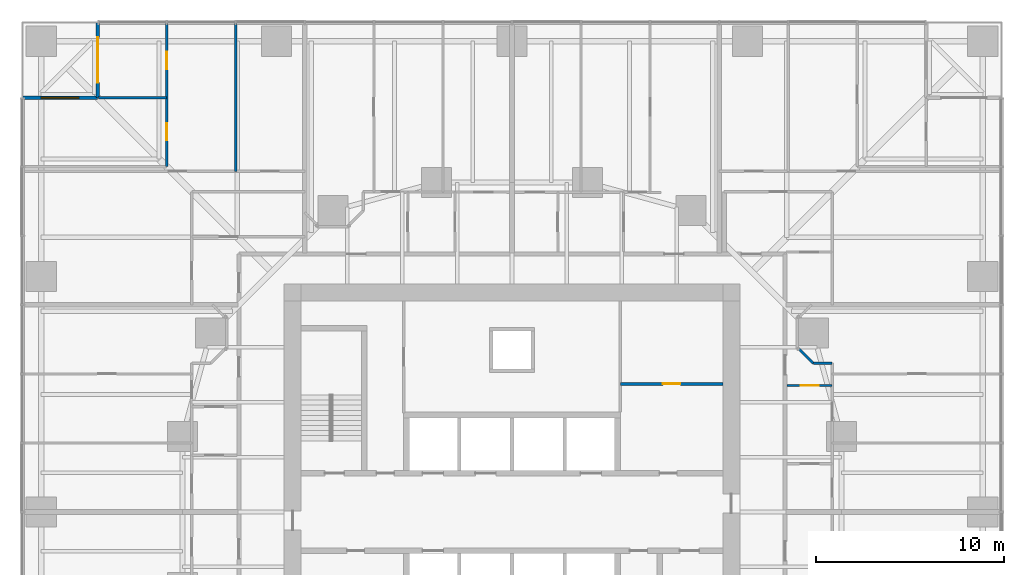
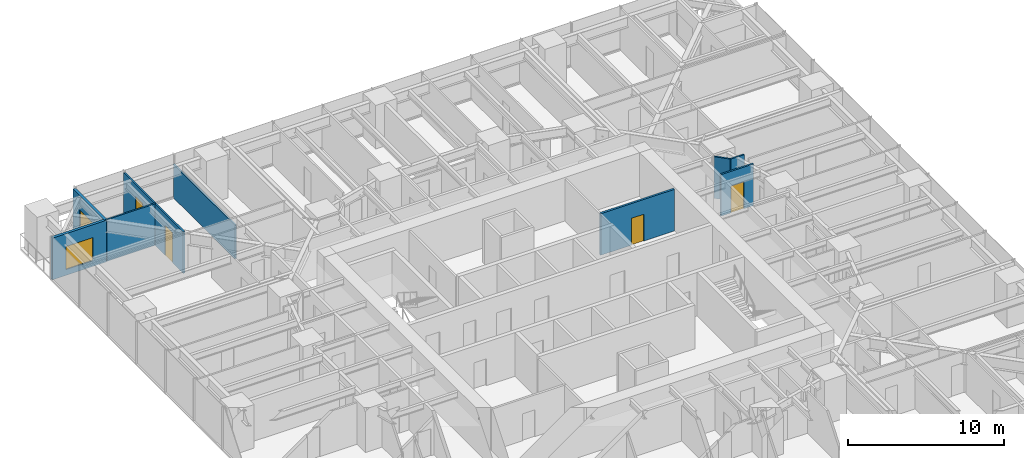
# One storey, part 14 of 17: 9 walls, 5 doors, 1 window, 6 openings.
"""IFC4 building model written with IfcOpenShell, lengths in metres."""

import ifcopenshell
import ifcopenshell.guid

model = None  # the IFC model being written
_history = None  # IfcOwnerHistory: only IFC2X3 demands one
_inside = {}  # id of a spatial element -> (the spatial element, [elements in it])
_under = {}  # id of a project, library or spatial element -> (it, [spatial elements below it])
_declared = {}  # id of a project -> (the project, [libraries it declares])
_typed = {}  # id of a type object -> (the type object, [elements of that type])
_made_of = {}  # id of a material, layer set ... -> (it, [elements and type objects made of it])


def new_model(schema):
    """Start an empty IFC model of exactly this schema.

    Asked for "IFC4X3", IfcOpenShell would pick the latest addendum, in which some entities
    have other attributes; the version numbers below select the first issue.
    IFC2X3 requires an IfcOwnerHistory on every rooted entity: one is made here for all.
    """
    global model, _history
    if schema == "IFC4X3":
        model = ifcopenshell.file(schema_version=(4, 3, 0, 0))
    else:
        model = ifcopenshell.file(schema=schema)
    _inside.clear()
    _under.clear()
    _declared.clear()
    _typed.clear()
    _made_of.clear()
    _history = None
    if model.schema == "IFC2X3":
        org = make("IfcOrganization", Name="unknown")
        user = make(
            "IfcPersonAndOrganization",
            ThePerson=make("IfcPerson", FamilyName="unknown"),
            TheOrganization=org,
        )
        app = make(
            "IfcApplication",
            ApplicationDeveloper=org,
            Version="unknown",
            ApplicationFullName="unknown",
            ApplicationIdentifier="unknown",
        )
        _history = make(
            "IfcOwnerHistory",
            OwningUser=user,
            OwningApplication=app,
            ChangeAction="ADDED",
            CreationDate=0,
        )
    return model


def make(cls, **values):
    """One entity of the class cls with the attributes given. An attribute that is None is left unset."""
    return model.create_entity(
        cls, **{name: value for name, value in values.items() if value is not None}
    )


def rooted(cls, **values):
    """An entity with a GlobalId (a new one), such as an element, a storey or a relation."""
    return make(cls, GlobalId=ifcopenshell.guid.new(), OwnerHistory=_history, **values)


def si_unit(unit_type, name, prefix=None):
    """IfcSIUnit, for example si_unit("LENGTHUNIT", "METRE", prefix="MILLI")."""
    return make("IfcSIUnit", UnitType=unit_type, Prefix=prefix, Name=name)


def assignment(units):
    """IfcUnitAssignment: the units of a project."""
    return None if units is None else make("IfcUnitAssignment", Units=units)


def point(xyz):
    """IfcCartesianPoint."""
    return None if xyz is None else make("IfcCartesianPoint", Coordinates=xyz)


def direction(xyz):
    """IfcDirection."""
    return None if xyz is None else make("IfcDirection", DirectionRatios=xyz)


def frame(location, z_axis=None, x_axis=None):
    """IfcAxis2Placement3D, a coordinate frame: its origin and axes. An axis left out is left unset."""
    return make(
        "IfcAxis2Placement3D",
        Location=point(location),
        Axis=direction(z_axis),
        RefDirection=direction(x_axis),
    )


def frame_2d(location, x_axis=None):
    """IfcAxis2Placement2D, a coordinate frame in the plane: its origin and x axis."""
    return make(
        "IfcAxis2Placement2D", Location=point(location), RefDirection=direction(x_axis)
    )


def origin():
    """The frame at (0, 0, 0) with its axes left unset."""
    return frame((0.0, 0.0, 0.0))


def place(relative_to, where):
    """IfcLocalPlacement: puts the frame where relative to a parent placement (None: the world)."""
    return make(
        "IfcLocalPlacement", PlacementRelTo=relative_to, RelativePlacement=where
    )


def context(
    kind, dimensions, precision=None, world=None, true_north=None, identifier=None
):
    """IfcGeometricRepresentationContext, for example the 3D "Model" context."""
    return make(
        "IfcGeometricRepresentationContext",
        ContextIdentifier=identifier,
        ContextType=kind,
        CoordinateSpaceDimension=dimensions,
        Precision=precision,
        WorldCoordinateSystem=world,
        TrueNorth=true_north,
    )


def subcontext(parent, identifier, kind, view, scale=None):
    """IfcGeometricRepresentationSubContext, for example "Body" below "Model"."""
    return make(
        "IfcGeometricRepresentationSubContext",
        ContextIdentifier=identifier,
        ContextType=kind,
        ParentContext=parent,
        TargetScale=scale,
        TargetView=view,
    )


def project(units=None, contexts=None):
    """IfcProject with its units and contexts."""
    return rooted(
        "IfcProject",
        Name="project",
        RepresentationContexts=contexts,
        UnitsInContext=assignment(units),
    )


def spatial(cls, under=None, at=None, **own):
    """A site, building, storey or space (cls), placed at a placement, below another one or the project."""
    s = rooted(cls, ObjectPlacement=at, **own)
    if under is not None:
        _under.setdefault(under.id(), (under, []))[1].append(s)
    return s


def profile(cls, at=None, kind="AREA", **sizes):
    """A parametric profile (cls). Its sizes go by their IFC names, for example OverallWidth=200.0."""
    return make(cls, ProfileType=kind, Position=at, **sizes)


def rectangle(**sizes):
    """IfcRectangleProfileDef."""
    return profile("IfcRectangleProfileDef", **sizes)


def extrude(swept, where, along, depth):
    """IfcExtrudedAreaSolid: the profile swept, set in the frame where, extruded along a direction by depth."""
    return make(
        "IfcExtrudedAreaSolid",
        SweptArea=swept,
        Position=where,
        ExtrudedDirection=direction(along),
        Depth=depth,
    )


def shape(context_of_items, identifier, shape_type, items):
    """IfcShapeRepresentation: the items that make up one representation, for example the "Body"."""
    return make(
        "IfcShapeRepresentation",
        ContextOfItems=context_of_items,
        RepresentationIdentifier=identifier,
        RepresentationType=shape_type,
        Items=items,
    )


def material(Name=None, Category=None):
    """IfcMaterial."""
    return make("IfcMaterial", Name=Name, Category=Category)


def layer(
    of_material, thickness, ventilated=None, Name=None, Category=None, Priority=None
):
    """IfcMaterialLayer: one layer of a wall or slab, of a material (None: an air gap)."""
    return make(
        "IfcMaterialLayer",
        Material=of_material,
        LayerThickness=thickness,
        IsVentilated=ventilated,
        Name=Name,
        Category=Category,
        Priority=Priority,
    )


def layer_set(layers, Name=None):
    """IfcMaterialLayerSet."""
    return make("IfcMaterialLayerSet", MaterialLayers=layers, LayerSetName=Name)


def made_of(thing, what):
    """Note that an element or type object is made of a material, layer set ...; save() writes the relation."""
    if what is not None:
        _made_of.setdefault(what.id(), (what, []))[1].append(thing)
    return thing


def type_object(cls, material=None, **own):
    """A type object (cls), such as IfcWallType, which elements share."""
    return made_of(rooted(cls, **own), material)


def element(
    cls,
    number,
    at=None,
    inside=None,
    cuts=None,
    type_object=None,
    material=None,
    context=None,
    identifier="Body",
    shape_type=None,
    held_by="IfcProductDefinitionShape",
    body=None,
    shapes=None,
    **own,
):
    """One element of the class cls, such as IfcWall. Its Tag is "e" and its number.

    at: its placement. inside: the storey or other place that contains it. cuts: it is an
    opening in that element (IfcRelVoidsElement). A single representation is given by context,
    identifier, shape_type and body (its items); several are given by shapes. held_by: the class
    of the entity that holds the representations. save() writes the other relations.
    """
    e = rooted(cls, Tag="e%d" % number, ObjectPlacement=at, **own)
    if body is not None:
        shapes = [shape(context, identifier, shape_type, body)]
    if shapes is not None:
        e.Representation = make(held_by, Representations=shapes)
    if inside is not None:
        _inside.setdefault(inside.id(), (inside, []))[1].append(e)
    if cuts is not None:
        rooted(
            "IfcRelVoidsElement", RelatingBuildingElement=cuts, RelatedOpeningElement=e
        )
    if type_object is not None:
        _typed.setdefault(type_object.id(), (type_object, []))[1].append(e)
    return made_of(e, material)


def fill(opening, filler):
    """IfcRelFillsElement: the door or window that sits in an opening."""
    return rooted(
        "IfcRelFillsElement",
        RelatingOpeningElement=opening,
        RelatedBuildingElement=filler,
    )


def aggregate(whole, parts):
    """IfcRelAggregates: a whole, such as a stair, and the parts it consists of."""
    return rooted("IfcRelAggregates", RelatingObject=whole, RelatedObjects=parts)


def save(model, path):
    """Write the relations noted so far, then the file.

    IfcRelAggregates (storeys below a building ...), IfcRelContainedInSpatialStructure (elements
    in a storey), IfcRelDefinesByType, IfcRelAssociatesMaterial and IfcRelDeclares: one each for
    every whole, place, type object, material and project.
    """
    for whole, parts in _under.values():
        aggregate(whole, parts)
    for where, things in _inside.values():
        rooted(
            "IfcRelContainedInSpatialStructure",
            RelatedElements=things,
            RelatingStructure=where,
        )
    for kind, things in _typed.values():
        rooted("IfcRelDefinesByType", RelatedObjects=things, RelatingType=kind)
    for what, things in _made_of.values():
        rooted("IfcRelAssociatesMaterial", RelatedObjects=things, RelatingMaterial=what)
    for by, libraries in _declared.values():
        rooted("IfcRelDeclares", RelatingContext=by, RelatedDefinitions=libraries)
    model.write(path)


model = new_model("IFC4")

# Units and contexts
model_context = context("Model", 3, precision=1e-05, world=origin(), true_north=direction((0.0, 1.0)))
body_context = subcontext(model_context, "Body", "Model", "MODEL_VIEW")
ifc_project = project(units=[si_unit("LENGTHUNIT", "METRE"), si_unit("AREAUNIT", "SQUARE_METRE"), si_unit("VOLUMEUNIT", "CUBIC_METRE"), si_unit("PLANEANGLEUNIT", "RADIAN"), si_unit("MASSUNIT", "GRAM", prefix="KILO")], contexts=[model_context])

# Site, building, storey
site_placement = place(None, origin())
site = spatial("IfcSite", under=ifc_project, at=site_placement, CompositionType="ELEMENT")
building_placement = place(site_placement, origin())
building = spatial("IfcBuilding", under=site, at=building_placement, Name="Torsade Residences", CompositionType="ELEMENT")
storey_placement = place(building_placement, frame((0.0, 0.0, 21.800048828125)))
storey = spatial("IfcBuildingStorey", under=building, at=storey_placement, Name="L05", CompositionType="ELEMENT", Elevation=21.800048828125)

# Wall, opening, door
ifc_material_1 = material(Name="Plasterboard on steel stud", Category="steel")
ifc_layer_1 = layer(ifc_material_1, 0.1201171875)
ifc_layer_set_1 = layer_set([ifc_layer_1], Name="Plasterboard on steel stud")
wall_type_1 = type_object("IfcWallType", Name="PARTITION 120", PredefinedType="PARTITIONING", material=ifc_layer_set_1)
wall_1_placement = place(storey_placement, frame((57.0, 36.71630859375, 0.0), z_axis=(0.0, 0.0, 1.0), x_axis=(-1.0, 0.0, 0.0)))
wall_1 = element("IfcWall", 1, at=wall_1_placement, inside=storey, type_object=wall_type_1, Name="Partition L05", PredefinedType="PARTITIONING", context=body_context, shape_type="SweptSolid", body=[
    extrude(rectangle(XDim=2.39990234375, YDim=0.1201171875, at=frame_2d((1.199951171875, 0.0))), origin(), (0.0, 0.0, 1.0), 3.25),
])
opening_1_placement = place(wall_1_placement, frame((0.719970703125, 0.0, 0.0)))
opening_1 = element("IfcOpeningElement", 2, at=opening_1_placement, cuts=wall_1, Name="Opening D05", PredefinedType="OPENING", context=body_context, shape_type="SweptSolid", body=[
    extrude(rectangle(XDim=0.9599609375, YDim=2.10009765625, at=frame_2d((0.47998046875, 1.050048828125))), frame((0.0, 0.070068359375, 0.0), z_axis=(0.0, -1.0, 0.0), x_axis=(1.0, 0.0, 0.0)), (0.0, 0.0, 1.0), 0.14013671875),
])
ifc_material_2 = material(Name="Hollow-core timber door in a steel cavity frame", Category="steel")
door_type_1 = type_object("IfcDoorType", Name="BATHROOM CAVITY SLIDING DOOR 960", OperationType="SLIDING_TO_LEFT", PredefinedType="DOOR", material=ifc_material_2)
door_1_placement = place(opening_1_placement, origin())
door_1 = element("IfcDoor", 3, at=door_1_placement, inside=storey, type_object=door_type_1, Name="Door Kitchen and dining to Bathroom", OperationType="SLIDING_TO_LEFT", OverallHeight=2.10009765625, OverallWidth=0.9599609375, PredefinedType="DOOR", context=body_context, shape_type="SweptSolid", body=[
    extrude(rectangle(XDim=0.9599609375, YDim=2.10009765625, at=frame_2d((0.47998046875, 1.050048828125))), frame((0.0, 0.02490234375, 0.0), z_axis=(0.0, -1.0, 0.0), x_axis=(1.0, 0.0, 0.0)), (0.0, 0.0, 1.0), 0.050048828125),
])
fill(opening_1, door_1)

# Walls
wall_2_placement = place(storey_placement, frame((55.25, 38.64990234375, 0.0), z_axis=(0.0, 0.0, 1.0), x_axis=(0.707106781187, -0.707106781187, 0.0)))
element("IfcWall", 4, at=wall_2_placement, inside=storey, type_object=wall_type_1, Name="Partition L05", PredefinedType="PARTITIONING", context=body_context, shape_type="SweptSolid", body=[
    extrude(rectangle(XDim=1.060546875, YDim=0.1201171875, at=frame_2d((0.5302734375, 0.0))), origin(), (0.0, 0.0, 1.0), 3.25),
])
wall_3_placement = place(storey_placement, frame((56.0, 37.89990234375, 0.0), z_axis=(0.0, 0.0, 1.0), x_axis=(1.0, 0.0, 0.0)))
element("IfcWall", 5, at=wall_3_placement, inside=storey, type_object=wall_type_1, Name="Partition L05", PredefinedType="PARTITIONING", context=body_context, shape_type="SweptSolid", body=[
    extrude(rectangle(XDim=1.0, YDim=0.1201171875, at=frame_2d((0.5, 0.0))), origin(), (0.0, 0.0, 1.0), 3.25),
])
wall_4_placement = place(storey_placement, frame((25.333251953125, 55.9599609375, 0.0), z_axis=(0.0, 0.0, 1.0), x_axis=(0.0, -1.0, 0.0)))
element("IfcWall", 6, at=wall_4_placement, inside=storey, type_object=wall_type_1, Name="Partition L05", PredefinedType="PARTITIONING", context=body_context, shape_type="SweptSolid", body=[
    extrude(rectangle(XDim=7.870849609375, YDim=0.1201171875, at=frame_2d((3.935546875, 0.0))), origin(), (0.0, 0.0, 1.0), 2.637939453125),
])

# Wall, openings, doors
wall_5_placement = place(storey_placement, frame((21.666748046875, 48.333251953125, 0.0), z_axis=(0.0, 0.0, 1.0), x_axis=(0.0, 1.0, 0.0)))
wall_5 = element("IfcWall", 7, at=wall_5_placement, inside=storey, type_object=wall_type_1, Name="Partition L05", PredefinedType="PARTITIONING", context=body_context, shape_type="SweptSolid", body=[
    extrude(rectangle(XDim=7.626708984375, YDim=0.1201171875, at=frame_2d((3.8134765625, 0.0))), origin(), (0.0, 0.0, 1.0), 3.25),
])
opening_2_placement = place(wall_5_placement, frame((5.181640625, 0.0, 0.0)))
opening_2 = element("IfcOpeningElement", 8, at=opening_2_placement, cuts=wall_5, Name="Opening D02", PredefinedType="OPENING", context=body_context, shape_type="SweptSolid", body=[
    extrude(rectangle(XDim=0.919921875, YDim=2.340087890625, at=frame_2d((0.4599609375, 1.169921875))), frame((0.0, 0.070068359375, 0.0), z_axis=(0.0, -1.0, 0.0), x_axis=(1.0, 0.0, 0.0)), (0.0, 0.0, 1.0), 0.14013671875),
])
opening_3_placement = place(wall_5_placement, frame((1.3984375, 0.0, 0.0)))
opening_3 = element("IfcOpeningElement", 9, at=opening_3_placement, cuts=wall_5, Name="Opening D02", PredefinedType="OPENING", context=body_context, shape_type="SweptSolid", body=[
    extrude(rectangle(XDim=0.919921875, YDim=2.340087890625, at=frame_2d((0.4599609375, 1.169921875))), frame((0.0, 0.070068359375, 0.0), z_axis=(0.0, -1.0, 0.0), x_axis=(1.0, 0.0, 0.0)), (0.0, 0.0, 1.0), 0.14013671875),
])
ifc_material_3 = material(Name="Hollow-core timber door", Category="wood")
door_type_2 = type_object("IfcDoorType", Name="INTERNAL DOOR 920x2340", OperationType="NOTDEFINED", PredefinedType="DOOR", material=ifc_material_3)
door_2_placement = place(opening_2_placement, origin())
door_2 = element("IfcDoor", 10, at=door_2_placement, inside=storey, type_object=door_type_2, Name="Door Bedroom 1 to Family room", OperationType="SINGLE_SWING_LEFT", OverallHeight=2.340087890625, OverallWidth=0.919921875, PredefinedType="DOOR", context=body_context, shape_type="SweptSolid", body=[
    extrude(rectangle(XDim=0.919921875, YDim=2.340087890625, at=frame_2d((0.4599609375, 1.169921875))), frame((0.0, 0.02490234375, 0.0), z_axis=(0.0, -1.0, 0.0), x_axis=(1.0, 0.0, 0.0)), (0.0, 0.0, 1.0), 0.050048828125),
])
fill(opening_2, door_2)
door_3_placement = place(opening_3_placement, origin())
door_3 = element("IfcDoor", 11, at=door_3_placement, inside=storey, type_object=door_type_2, Name="Door Bedroom 1 to Study", OperationType="SINGLE_SWING_RIGHT", OverallHeight=2.340087890625, OverallWidth=0.919921875, PredefinedType="DOOR", context=body_context, shape_type="SweptSolid", body=[
    extrude(rectangle(XDim=0.919921875, YDim=2.340087890625, at=frame_2d((0.4599609375, 1.169921875))), frame((0.0, 0.02490234375, 0.0), z_axis=(0.0, -1.0, 0.0), x_axis=(1.0, 0.0, 0.0)), (0.0, 0.0, 1.0), 0.050048828125),
])
fill(opening_3, door_3)

# Wall
wall_6_placement = place(storey_placement, frame((18.0400390625, 52.0, 0.0), z_axis=(0.0, 0.0, 1.0), x_axis=(1.0, 0.0, 0.0)))
element("IfcWall", 12, at=wall_6_placement, inside=storey, type_object=wall_type_1, Name="Partition L05", PredefinedType="PARTITIONING", context=body_context, shape_type="SweptSolid", body=[
    extrude(rectangle(XDim=3.626708984375, YDim=0.1201171875, at=frame_2d((1.8134765625, 0.0))), origin(), (0.0, 0.0, 1.0), 3.25),
])

# Wall, opening, door
ifc_material_4 = material(Name="Reinforced blockwork", Category="masonry")
ifc_layer_2 = layer(ifc_material_4, 0.14990234375)
ifc_layer_set_2 = layer_set([ifc_layer_2], Name="Reinforced blockwork")
wall_type_2 = type_object("IfcWallType", Name="SERVICE ROOM WALL 150", PredefinedType="SOLIDWALL", material=ifc_layer_set_2)
wall_7_placement = place(storey_placement, frame((45.75, 36.800048828125, 0.0), z_axis=(0.0, 0.0, 1.0), x_axis=(1.0, 0.0, 0.0)))
wall_7 = element("IfcWall", 13, at=wall_7_placement, inside=storey, type_object=wall_type_2, Name="Service room wall L05", PredefinedType="SOLIDWALL", context=body_context, shape_type="SweptSolid", body=[
    extrude(rectangle(XDim=5.449951171875, YDim=0.14990234375, at=frame_2d((2.72509765625, 0.0))), origin(), (0.0, 0.0, 1.0), 3.25),
])
opening_4_placement = place(wall_7_placement, frame((2.264892578125, 0.0, 0.0)))
opening_4 = element("IfcOpeningElement", 14, at=opening_4_placement, cuts=wall_7, Name="Opening D06", PredefinedType="OPENING", context=body_context, shape_type="SweptSolid", body=[
    extrude(rectangle(XDim=0.919921875, YDim=2.10009765625, at=frame_2d((0.4599609375, 1.050048828125))), frame((0.0, 0.0849609375, 0.0), z_axis=(0.0, -1.0, 0.0), x_axis=(1.0, 0.0, 0.0)), (0.0, 0.0, 1.0), 0.169921875),
])
ifc_material_5 = material(Name="Steel-framed fire door", Category="steel")
door_type_3 = type_object("IfcDoorType", Name="FIRE DOOR 920", OperationType="NOTDEFINED", PredefinedType="DOOR", material=ifc_material_5)
door_4_placement = place(opening_4_placement, origin())
door_4 = element("IfcDoor", 15, at=door_4_placement, inside=storey, type_object=door_type_3, Name="Door Refuse room to Bulky waste store", OperationType="SINGLE_SWING_LEFT", OverallHeight=2.10009765625, OverallWidth=0.919921875, PredefinedType="DOOR", context=body_context, shape_type="SweptSolid", body=[
    extrude(rectangle(XDim=0.919921875, YDim=2.10009765625, at=frame_2d((0.4599609375, 1.050048828125))), frame((0.0, 0.02490234375, 0.0), z_axis=(0.0, -1.0, 0.0), x_axis=(1.0, 0.0, 0.0)), (0.0, 0.0, 1.0), 0.050048828125),
])
fill(opening_4, door_4)

ifc_material_6 = material(Name="Stone-faced precast concrete 40 MPa panel", Category="masonry")
ifc_layer_3 = layer(ifc_material_6, 0.199951171875)
ifc_layer_set_3 = layer_set([ifc_layer_3], Name="Stone-faced precast concrete 40 MPa panel")
wall_type_3 = type_object("IfcWallType", Name="TERRACE WALL 200", PredefinedType="SOLIDWALL", material=ifc_layer_set_3)
wall_8_placement = place(storey_placement, frame((18.0, 56.0, 0.0), z_axis=(0.0, 0.0, 1.0), x_axis=(0.0, -1.0, 0.0)))
wall_8 = element("IfcWall", 16, at=wall_8_placement, inside=storey, type_object=wall_type_3, Name="Terrace wall L05 8", PredefinedType="SOLIDWALL", context=body_context, shape_type="SweptSolid", body=[
    extrude(rectangle(XDim=4.0, YDim=0.199951171875, at=frame_2d((2.0, 0.0))), origin(), (0.0, 0.0, 1.0), 3.25),
])
opening_5_placement = place(wall_8_placement, frame((0.800048828125, 0.0, 0.0)))
opening_5 = element("IfcOpeningElement", 17, at=opening_5_placement, cuts=wall_8, Name="Opening D10A", PredefinedType="OPENING", context=body_context, shape_type="SweptSolid", body=[
    extrude(rectangle(XDim=2.39990234375, YDim=2.10009765625, at=frame_2d((1.199951171875, 1.050048828125))), frame((0.0, 0.10986328125, 0.0), z_axis=(0.0, -1.0, 0.0), x_axis=(1.0, 0.0, 0.0)), (0.0, 0.0, 1.0), 0.219970703125),
])
ifc_material_7 = material(Name="Aluminium-framed glass door", Category="aluminium")
door_type_4 = type_object("IfcDoorType", Name="TERRACE SLIDING DOOR 2400x2100", OperationType="SLIDING_TO_LEFT", PredefinedType="DOOR", material=ifc_material_7)
door_5_placement = place(opening_5_placement, origin())
door_5 = element("IfcDoor", 18, at=door_5_placement, inside=storey, type_object=door_type_4, Name="Terrace door L05 8", OperationType="SLIDING_TO_LEFT", OverallHeight=2.10009765625, OverallWidth=2.39990234375, PredefinedType="DOOR", context=body_context, shape_type="SweptSolid", body=[
    extrude(rectangle(XDim=2.39990234375, YDim=2.10009765625, at=frame_2d((1.199951171875, 1.050048828125))), frame((0.0, 0.02490234375, 0.0), z_axis=(0.0, -1.0, 0.0), x_axis=(1.0, 0.0, 0.0)), (0.0, 0.0, 1.0), 0.050048828125),
])
fill(opening_5, door_5)

# Wall, opening, window
wall_9_placement = place(storey_placement, frame((18.0, 52.0, 0.0), z_axis=(0.0, 0.0, 1.0), x_axis=(-1.0, 0.0, 0.0)))
wall_9 = element("IfcWall", 19, at=wall_9_placement, inside=storey, type_object=wall_type_3, Name="Terrace wall L05 9", PredefinedType="SOLIDWALL", context=body_context, shape_type="SweptSolid", body=[
    extrude(rectangle(XDim=4.0, YDim=0.199951171875, at=frame_2d((2.0, 0.0))), origin(), (0.0, 0.0, 1.0), 3.25),
])
opening_6_placement = place(wall_9_placement, frame((1.0, 0.0, 0.449951171875)))
opening_6 = element("IfcOpeningElement", 20, at=opening_6_placement, cuts=wall_9, Name="Opening W1B", PredefinedType="OPENING", context=body_context, shape_type="SweptSolid", body=[
    extrude(rectangle(XDim=2.0, YDim=1.800048828125, at=frame_2d((1.0, 0.89990234375))), frame((0.0, 0.10986328125, 0.0), z_axis=(0.0, -1.0, 0.0), x_axis=(1.0, 0.0, 0.0)), (0.0, 0.0, 1.0), 0.219970703125),
])
ifc_material_8 = material(Name="Aluminium-framed glass window", Category="aluminium")
window_type = type_object("IfcWindowType", Name="TERRACE WINDOW 2000x1800", PartitioningType="SINGLE_PANEL", PredefinedType="WINDOW", material=ifc_material_8)
window_placement = place(opening_6_placement, origin())
window = element("IfcWindow", 21, at=window_placement, inside=storey, type_object=window_type, Name="Terrace window L05 9", OverallHeight=1.800048828125, OverallWidth=2.0, PartitioningType="SINGLE_PANEL", PredefinedType="WINDOW", context=body_context, shape_type="SweptSolid", body=[
    extrude(rectangle(XDim=2.0, YDim=1.800048828125, at=frame_2d((1.0, 0.89990234375))), frame((0.0, 0.030029296875, 0.0), z_axis=(0.0, -1.0, 0.0), x_axis=(1.0, 0.0, 0.0)), (0.0, 0.0, 1.0), 0.06005859375),
])
fill(opening_6, window)

save(model, "model.ifc")
